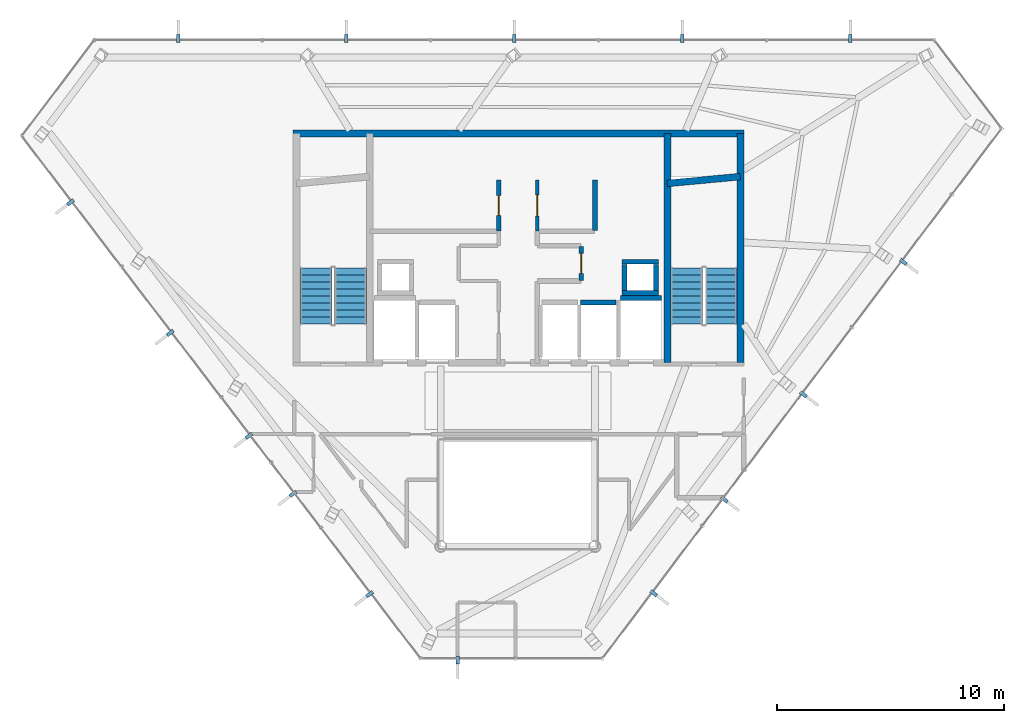
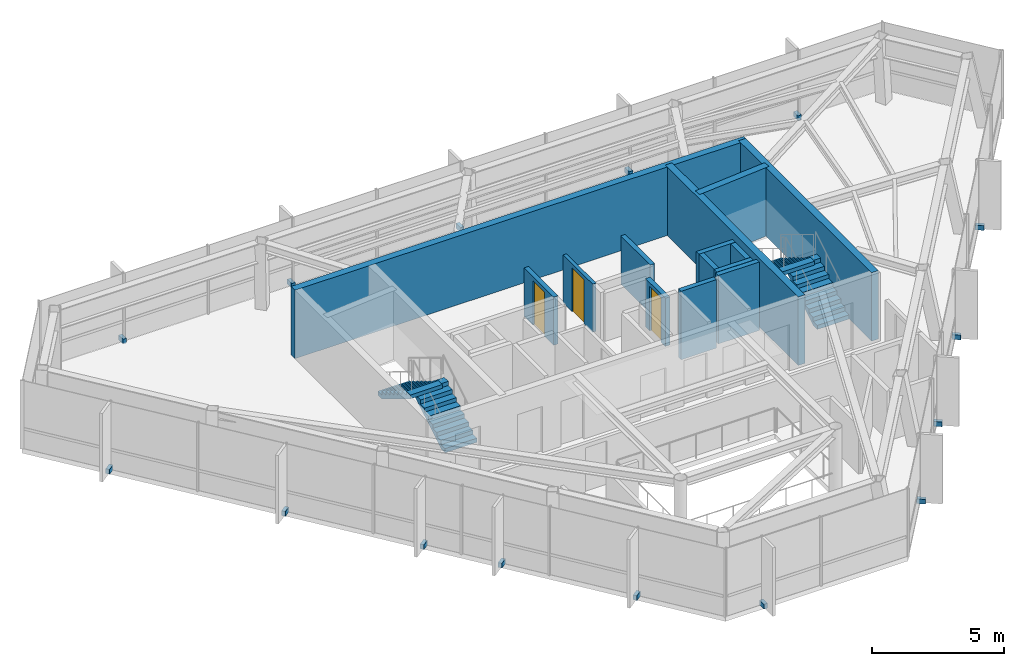
# One storey, part 21 of 22: 15 discrete accessories, 14 walls, 4 stair flights, 3 doors, 3 openings, 2 elements without a shape of their own.
"""IFC4 building model written with IfcOpenShell, lengths in metres."""

from ifc_helpers import new_model, si_unit, direction, frame, frame_2d, origin, origin_2d, place, context, subcontext, project, spatial, polyline, rectangle, outline, extrude, material, layer, layer_set, type_object, element, fill, aggregate, save


model = new_model("IFC4")

# Units and contexts
model_context = context("Model", 3, precision=1e-05, world=origin(), true_north=direction((0.0, 1.0)))
body_context = subcontext(model_context, "Body", "Model", "MODEL_VIEW")
ifc_project = project(units=[si_unit("LENGTHUNIT", "METRE"), si_unit("AREAUNIT", "SQUARE_METRE"), si_unit("VOLUMEUNIT", "CUBIC_METRE"), si_unit("PLANEANGLEUNIT", "RADIAN"), si_unit("MASSUNIT", "GRAM", prefix="KILO")], contexts=[model_context])

# Site, building, storey
site_placement = place(None, origin())
site = spatial("IfcSite", under=ifc_project, at=site_placement, CompositionType="ELEMENT")
building_placement = place(site_placement, origin())
building = spatial("IfcBuilding", under=site, at=building_placement, Name="Zarrinselat Tower", CompositionType="ELEMENT")
storey_placement = place(building_placement, frame((0.0, 0.0, 295.800048828125)))
storey = spatial("IfcBuildingStorey", under=building, at=storey_placement, Name="L76", CompositionType="ELEMENT", Elevation=295.800048828125)

# Wall, opening, door
ifc_material_1 = material(Name="Fire-Rated Gypsum Board Partition", Category="gypsum")
ifc_layer_1 = layer(ifc_material_1, 0.14990234375)
ifc_layer_set_1 = layer_set([ifc_layer_1], Name="Fire-Rated Gypsum Board Partition")
wall_type_1 = type_object("IfcWallType", Name="WAL-PART-EI60", PredefinedType="PARTITIONING", material=ifc_layer_set_1)
wall_1_placement = place(storey_placement, frame((39.25, 39.10498046875, 0.0), z_axis=(0.0, 0.0, 1.0), x_axis=(0.0, 1.0, 0.0)))
wall_1 = element("IfcWall", 1, at=wall_1_placement, inside=storey, type_object=wall_type_1, Name="L76 Partition Wall 12", PredefinedType="PARTITIONING", context=body_context, shape_type="SweptSolid", body=[
    extrude(rectangle(XDim=2.2451171875, YDim=0.14990234375, at=frame_2d((1.12255859375, 0.0))), origin(), (0.0, 0.0, 1.0), 2.23486328125),
])
opening_1_placement = place(wall_1_placement, frame((0.652587890625, 0.0, 0.0)))
opening_1 = element("IfcOpeningElement", 2, at=opening_1_placement, cuts=wall_1, Name="Opening ID-04", PredefinedType="OPENING", context=body_context, shape_type="SweptSolid", body=[
    extrude(rectangle(XDim=0.93994140625, YDim=2.050048828125, at=frame_2d((0.469970703125, 1.02490234375))), frame((0.0, 0.0849609375, 0.0), z_axis=(0.0, -1.0, 0.0), x_axis=(1.0, 0.0, 0.0)), (0.0, 0.0, 1.0), 0.169921875),
])
ifc_material_2 = material(Name="Fire-Rated Gypsum Board Partition")
door_type_1 = type_object("IfcDoorType", Name="DR-INT-FD30-ENT", OperationType="NOTDEFINED", PredefinedType="DOOR", material=ifc_material_2)
door_1_placement = place(opening_1_placement, origin())
door_1 = element("IfcDoor", 3, at=door_1_placement, inside=storey, type_object=door_type_1, Name="L76 Interior Door P12", OperationType="SINGLE_SWING_LEFT", OverallHeight=2.050048828125, OverallWidth=0.93994140625, PredefinedType="DOOR", context=body_context, shape_type="SweptSolid", body=[
    extrude(rectangle(XDim=0.93994140625, YDim=2.050048828125, at=frame_2d((0.469970703125, 1.02490234375))), frame((0.0, 0.02490234375, 0.0), z_axis=(0.0, -1.0, 0.0), x_axis=(1.0, 0.0, 0.0)), (0.0, 0.0, 1.0), 0.050048828125),
])
fill(opening_1, door_1)

ifc_material_3 = material(Name="Concrete C40/50", Category="concrete")
ifc_layer_2 = layer(ifc_material_3, 0.199951171875)
ifc_layer_set_2 = layer_set([ifc_layer_2], Name="Concrete C40/50")
wall_type_2 = type_object("IfcWallType", Name="WAL-PART-PLANT", PredefinedType="PARTITIONING", material=ifc_layer_set_2)
wall_2_placement = place(storey_placement, frame((37.550048828125, 39.10498046875, 0.0), z_axis=(0.0, 0.0, 1.0), x_axis=(0.0, 1.0, 0.0)))
wall_2 = element("IfcWall", 4, at=wall_2_placement, inside=storey, type_object=wall_type_2, Name="L76 Partition Wall 6", PredefinedType="PARTITIONING", context=body_context, shape_type="SweptSolid", body=[
    extrude(rectangle(XDim=2.2451171875, YDim=0.199951171875, at=frame_2d((1.12255859375, 0.0))), origin(), (0.0, 0.0, 1.0), 2.23486328125),
])
opening_2_placement = place(wall_2_placement, frame((0.6826171875, 0.0, 0.0)))
opening_2 = element("IfcOpeningElement", 5, at=opening_2_placement, cuts=wall_2, Name="Opening ID-03", PredefinedType="OPENING", context=body_context, shape_type="SweptSolid", body=[
    extrude(rectangle(XDim=0.8798828125, YDim=2.050048828125, at=frame_2d((0.43994140625, 1.02490234375))), frame((0.0, 0.10986328125, 0.0), z_axis=(0.0, -1.0, 0.0), x_axis=(1.0, 0.0, 0.0)), (0.0, 0.0, 1.0), 0.219970703125),
])
ifc_material_4 = material(Name="Steel S355J2", Category="steel")
door_type_2 = type_object("IfcDoorType", Name="DR-INT-FD60-S", OperationType="NOTDEFINED", PredefinedType="DOOR", material=ifc_material_4)
door_2_placement = place(opening_2_placement, origin())
door_2 = element("IfcDoor", 6, at=door_2_placement, inside=storey, type_object=door_type_2, Name="L76 Interior Door P6", OperationType="SINGLE_SWING_LEFT", OverallHeight=2.050048828125, OverallWidth=0.8798828125, PredefinedType="DOOR", context=body_context, shape_type="SweptSolid", body=[
    extrude(rectangle(XDim=0.8798828125, YDim=2.050048828125, at=frame_2d((0.43994140625, 1.02490234375))), frame((0.0, 0.02490234375, 0.0), z_axis=(0.0, -1.0, 0.0), x_axis=(1.0, 0.0, 0.0)), (0.0, 0.0, 1.0), 0.050048828125),
])
fill(opening_2, door_2)

wall_3_placement = place(storey_placement, frame((41.199951171875, 36.919921875, 0.0), z_axis=(0.0, 0.0, 1.0), x_axis=(0.0, 1.0, 0.0)))
wall_3 = element("IfcWall", 7, at=wall_3_placement, inside=storey, type_object=wall_type_2, Name="L76 Partition Wall 9", PredefinedType="PARTITIONING", context=body_context, shape_type="SweptSolid", body=[
    extrude(rectangle(XDim=1.510009765625, YDim=0.199951171875, at=frame_2d((0.7548828125, 0.0))), origin(), (0.0, 0.0, 1.0), 2.23486328125),
])
opening_3_placement = place(wall_3_placement, frame((0.31494140625, 0.0, 0.0)))
opening_3 = element("IfcOpeningElement", 8, at=opening_3_placement, cuts=wall_3, Name="Opening ID-03", PredefinedType="OPENING", context=body_context, shape_type="SweptSolid", body=[
    extrude(rectangle(XDim=0.8798828125, YDim=2.050048828125, at=frame_2d((0.43994140625, 1.02490234375))), frame((0.0, 0.10986328125, 0.0), z_axis=(0.0, -1.0, 0.0), x_axis=(1.0, 0.0, 0.0)), (0.0, 0.0, 1.0), 0.219970703125),
])
door_3_placement = place(opening_3_placement, origin())
door_3 = element("IfcDoor", 9, at=door_3_placement, inside=storey, type_object=door_type_2, Name="L76 Interior Door P9", OperationType="SINGLE_SWING_RIGHT", OverallHeight=2.050048828125, OverallWidth=0.8798828125, PredefinedType="DOOR", context=body_context, shape_type="SweptSolid", body=[
    extrude(rectangle(XDim=0.8798828125, YDim=2.050048828125, at=frame_2d((0.43994140625, 1.02490234375))), frame((0.0, 0.02490234375, 0.0), z_axis=(0.0, -1.0, 0.0), x_axis=(1.0, 0.0, 0.0)), (0.0, 0.0, 1.0), 0.050048828125),
])
fill(opening_3, door_3)

# Walls
wall_4_placement = place(storey_placement, frame((41.800048828125, 39.1201171875, 0.0), z_axis=(0.0, 0.0, 1.0), x_axis=(0.0, 1.0, 0.0)))
element("IfcWall", 10, at=wall_4_placement, inside=storey, type_object=wall_type_2, Name="L76 Partition Wall 15", PredefinedType="PARTITIONING", context=body_context, shape_type="SweptSolid", body=[
    extrude(rectangle(XDim=2.22998046875, YDim=0.199951171875, at=frame_2d((1.114990234375, 0.0))), origin(), (0.0, 0.0, 1.0), 2.23486328125),
])
ifc_material_5 = material(Name="Concrete C40/50", Category="concrete")
ifc_layer_3 = layer(ifc_material_5, 0.2099609375)
ifc_layer_set_3 = layer_set([ifc_layer_3], Name="Concrete C40/50")
wall_type_3 = type_object("IfcWallType", Name="WAL-SHAFT-210", PredefinedType="SOLIDWALL", material=ifc_layer_set_3)
wall_5_placement = place(storey_placement, frame((42.919921875, 36.155029296875, 0.0), z_axis=(0.0, 0.0, 1.0), x_axis=(1.0, 0.0, 0.0)))
element("IfcWall", 11, at=wall_5_placement, inside=storey, type_object=wall_type_3, Name="L76 Lift FFL2 North Shaft Wall", PredefinedType="SOLIDWALL", context=body_context, shape_type="SweptSolid", body=[
    extrude(rectangle(XDim=1.800048828125, YDim=0.2099609375, at=frame_2d((0.89990234375, 0.0))), origin(), (0.0, 0.0, 1.0), 3.179931640625),
])
wall_6_placement = place(storey_placement, frame((41.169921875, 35.955078125, 0.0), z_axis=(0.0, 0.0, 1.0), x_axis=(1.0, 0.0, 0.0)))
element("IfcWall", 12, at=wall_6_placement, inside=storey, type_object=wall_type_3, Name="L76 Lift PL9 North Shaft Wall", PredefinedType="SOLIDWALL", context=body_context, shape_type="SweptSolid", body=[
    extrude(rectangle(XDim=1.56005859375, YDim=0.2099609375, at=frame_2d((0.780029296875, 0.0))), origin(), (0.0, 0.0, 1.0), 3.179931640625),
])
for number, where, z_axis, x_axis, name in (
    (13, (42.989990234375, 36.375, 0.0), (0.0, 0.0, 1.0), (1.0, 0.0, 0.0), "L76 Core Riser RSR-E S Shaft Wall"),
    (14, (42.989990234375, 37.7451171875, 0.0), (0.0, 0.0, 1.0), (1.0, 0.0, 0.0), "L76 Core Riser RSR-E N Shaft Wall"),
):
    element("IfcWall", number, at=place(storey_placement, frame(where, z_axis=z_axis, x_axis=x_axis)), inside=storey, type_object=wall_type_3, Name=name, PredefinedType="SOLIDWALL", context=body_context, shape_type="SweptSolid", body=[
        extrude(rectangle(XDim=1.60009765625, YDim=0.2099609375, at=frame_2d((0.800048828125, 0.0))), origin(), (0.0, 0.0, 1.0), 3.179931640625),
    ])
for number, where, z_axis, x_axis, name in (
    (15, (43.094970703125, 36.485107421875, 0.0), (0.0, 0.0, 1.0), (0.0, 1.0, 0.0), "L76 Core Riser RSR-E W Shaft Wall"),
    (16, (44.485107421875, 36.485107421875, 0.0), (0.0, 0.0, 1.0), (0.0, 1.0, 0.0), "L76 Core Riser RSR-E E Shaft Wall"),
):
    element("IfcWall", number, at=place(storey_placement, frame(where, z_axis=z_axis, x_axis=x_axis)), inside=storey, type_object=wall_type_3, Name=name, PredefinedType="SOLIDWALL", context=body_context, shape_type="SweptSolid", body=[
        extrude(rectangle(XDim=1.14990234375, YDim=0.2099609375, at=frame_2d((0.574951171875, 0.0))), origin(), (0.0, 0.0, 1.0), 3.179931640625),
    ])
ifc_material_6 = material(Name="Concrete C40/50", Category="concrete")
ifc_layer_4 = layer(ifc_material_6, 0.300048828125)
ifc_layer_set_4 = layer_set([ifc_layer_4], Name="Concrete C40/50")
wall_type_4 = type_object("IfcWallType", Name="WAL-SHEAR-300", PredefinedType="SHEAR", material=ifc_layer_set_4)
wall_7_placement = place(storey_placement, frame((28.5, 43.39990234375, 0.0), z_axis=(0.0, 0.0, 1.0), x_axis=(1.0, 0.0, 0.0)))
element("IfcWall", 17, at=wall_7_placement, inside=storey, type_object=wall_type_4, Name="L76 North Core Shear Wall", PredefinedType="SHEAR", context=body_context, shape_type="SweptSolid", body=[
    extrude(rectangle(XDim=19.860107421875, YDim=0.300048828125, at=frame_2d((9.93017578125, 0.0))), origin(), (0.0, 0.0, 1.0), 3.179931640625),
])
for number, where, z_axis, x_axis, name in (
    (18, (44.989990234375, 33.300048828125, 0.0), (0.0, 0.0, 1.0), (0.0, 1.0, 0.0), "L76 Core Shear Wall ST2W"),
    (19, (48.2099609375, 33.300048828125, 0.0), (0.0, 0.0, 1.0), (0.0, 1.0, 0.0), "L76 Core Shear Wall E"),
):
    element("IfcWall", number, at=place(storey_placement, frame(where, z_axis=z_axis, x_axis=x_axis)), inside=storey, type_object=wall_type_4, Name=name, PredefinedType="SHEAR", context=body_context, shape_type="SweptSolid", body=[
        extrude(rectangle(XDim=10.099853515625, YDim=0.300048828125, at=frame_2d((5.0498046875, 0.0))), origin(), (0.0, 0.0, 1.0), 3.179931640625),
    ])
wall_8_placement = place(storey_placement, frame((44.97998046875, 41.199951171875, 0.0), z_axis=(0.0, 0.0, 1.0), x_axis=(0.995686468965, 0.09278176286, 0.0)))
element("IfcWall", 20, at=wall_8_placement, inside=storey, type_object=wall_type_4, Name="L76 Stair 2 North Shaft Wall", PredefinedType="SHEAR", context=body_context, shape_type="SweptSolid", body=[
    extrude(rectangle(XDim=3.23388671875, YDim=0.300048828125, at=frame_2d((1.616943359375, 0.0))), origin(), (0.0, 0.0, 1.0), 3.179931640625),
])

# Stair, stair flights
ifc_material_7 = material(Name="Concrete C40/50", Category="concrete")
stair_type = type_object("IfcStairType", Name="STR-CORE-155", PredefinedType="HALF_TURN_STAIR", material=ifc_material_7)
stair_1_placement = place(storey_placement, origin())
stair_1 = element("IfcStair", 21, at=stair_1_placement, inside=storey, type_object=stair_type, Name="L76 Core Exit Stair 1", PredefinedType="HALF_TURN_STAIR")
ifc_material_8 = material(Name="Concrete C40/50", Category="concrete")
stair_flight_type = type_object("IfcStairFlightType", Name="STR-FLT-155", PredefinedType="STRAIGHT", material=ifc_material_8)
stair_flight_1_placement = place(storey_placement, frame((31.02001953125, 35.0, 0.0), z_axis=(0.0, 0.0, 1.0), x_axis=(0.0, 1.0, 0.0)))
stair_flight_1 = element("IfcStairFlight", 22, at=stair_flight_1_placement, type_object=stair_flight_type, Name="ST-1 flight 1", NumberOfRisers=9, NumberOfTreads=8, PredefinedType="STRAIGHT", RiserHeight=0.188888889, TreadLength=0.31, context=body_context, shape_type="SweptSolid", body=[
    extrude(outline(polyline([(0.0, 0.0), (0.0, 0.18896484375), (0.31005859375, 0.18896484375), (0.31005859375, 0.377685546875), (0.6201171875, 0.377685546875), (0.6201171875, 0.566650390625), (0.929931640625, 0.566650390625), (0.929931640625, 0.755615234375), (1.239990234375, 0.755615234375), (1.239990234375, 0.9443359375), (1.550048828125, 0.9443359375), (1.550048828125, 1.13330078125), (1.860107421875, 1.13330078125), (1.860107421875, 1.322265625), (2.169921875, 1.322265625), (2.169921875, 1.51123046875), (2.47998046875, 1.51123046875), (2.47998046875, 1.699951171875), (2.47998046875, 1.335693359375), (0.2880859375, 0.0), (0.0, 0.0)])), frame((0.0, 0.699951171875, 0.0), z_axis=(0.0, -1.0, 0.0), x_axis=(1.0, 0.0, 0.0)), (0.0, 0.0, 1.0), 1.39990234375),
])
stair_flight_2_placement = place(storey_placement, frame((29.5, 37.47998046875, 1.699951171875), z_axis=(0.0, 0.0, 1.0), x_axis=(0.0, -1.0, 0.0)))
stair_flight_2 = element("IfcStairFlight", 23, at=stair_flight_2_placement, type_object=stair_flight_type, Name="ST-1 flight 2", NumberOfRisers=9, NumberOfTreads=8, PredefinedType="STRAIGHT", RiserHeight=0.188888889, TreadLength=0.31, context=body_context, shape_type="SweptSolid", body=[
    extrude(outline(polyline([(0.0, 0.0), (0.0, 0.18896484375), (0.31005859375, 0.18896484375), (0.31005859375, 0.377685546875), (0.6201171875, 0.377685546875), (0.6201171875, 0.566650390625), (0.929931640625, 0.566650390625), (0.929931640625, 0.755615234375), (1.239990234375, 0.755615234375), (1.239990234375, 0.9443359375), (1.550048828125, 0.9443359375), (1.550048828125, 1.13330078125), (1.860107421875, 1.13330078125), (1.860107421875, 1.322265625), (2.169921875, 1.322265625), (2.169921875, 1.51123046875), (2.47998046875, 1.51123046875), (2.47998046875, 1.699951171875), (2.47998046875, 1.335693359375), (0.2880859375, 0.0), (0.0, 0.0)])), frame((0.0, 0.699951171875, 0.0), z_axis=(0.0, -1.0, 0.0), x_axis=(1.0, 0.0, 0.0)), (0.0, 0.0, 1.0), 1.39990234375),
])
aggregate(stair_1, [stair_flight_1, stair_flight_2])

stair_2_placement = place(storey_placement, origin())
stair_2 = element("IfcStair", 24, at=stair_2_placement, inside=storey, type_object=stair_type, Name="L76 Core Exit Stair 2", PredefinedType="HALF_TURN_STAIR")
stair_flight_3_placement = place(storey_placement, frame((47.360107421875, 35.0, 0.0), z_axis=(0.0, 0.0, 1.0), x_axis=(0.0, 1.0, 0.0)))
stair_flight_3 = element("IfcStairFlight", 25, at=stair_flight_3_placement, type_object=stair_flight_type, Name="ST-2 flight 1", NumberOfRisers=9, NumberOfTreads=8, PredefinedType="STRAIGHT", RiserHeight=0.188888889, TreadLength=0.31, context=body_context, shape_type="SweptSolid", body=[
    extrude(outline(polyline([(0.0, 0.0), (0.0, 0.18896484375), (0.31005859375, 0.18896484375), (0.31005859375, 0.377685546875), (0.6201171875, 0.377685546875), (0.6201171875, 0.566650390625), (0.929931640625, 0.566650390625), (0.929931640625, 0.755615234375), (1.239990234375, 0.755615234375), (1.239990234375, 0.9443359375), (1.550048828125, 0.9443359375), (1.550048828125, 1.13330078125), (1.860107421875, 1.13330078125), (1.860107421875, 1.322265625), (2.169921875, 1.322265625), (2.169921875, 1.51123046875), (2.47998046875, 1.51123046875), (2.47998046875, 1.699951171875), (2.47998046875, 1.335693359375), (0.2880859375, 0.0), (0.0, 0.0)])), frame((0.0, 0.699951171875, 0.0), z_axis=(0.0, -1.0, 0.0), x_axis=(1.0, 0.0, 0.0)), (0.0, 0.0, 1.0), 1.39990234375),
])
stair_flight_4_placement = place(storey_placement, frame((45.840087890625, 37.47998046875, 1.699951171875), z_axis=(0.0, 0.0, 1.0), x_axis=(0.0, -1.0, 0.0)))
stair_flight_4 = element("IfcStairFlight", 26, at=stair_flight_4_placement, type_object=stair_flight_type, Name="ST-2 flight 2", NumberOfRisers=9, NumberOfTreads=8, PredefinedType="STRAIGHT", RiserHeight=0.188888889, TreadLength=0.31, context=body_context, shape_type="SweptSolid", body=[
    extrude(outline(polyline([(0.0, 0.0), (0.0, 0.18896484375), (0.31005859375, 0.18896484375), (0.31005859375, 0.377685546875), (0.6201171875, 0.377685546875), (0.6201171875, 0.566650390625), (0.929931640625, 0.566650390625), (0.929931640625, 0.755615234375), (1.239990234375, 0.755615234375), (1.239990234375, 0.9443359375), (1.550048828125, 0.9443359375), (1.550048828125, 1.13330078125), (1.860107421875, 1.13330078125), (1.860107421875, 1.322265625), (2.169921875, 1.322265625), (2.169921875, 1.51123046875), (2.47998046875, 1.51123046875), (2.47998046875, 1.699951171875), (2.47998046875, 1.335693359375), (0.2880859375, 0.0), (0.0, 0.0)])), frame((0.0, 0.699951171875, 0.0), z_axis=(0.0, -1.0, 0.0), x_axis=(1.0, 0.0, 0.0)), (0.0, 0.0, 1.0), 1.39990234375),
])
aggregate(stair_2, [stair_flight_3, stair_flight_4])

# Discrete accessories
ifc_material_9 = material(Name="Steel S355J2", Category="steel")
discrete_accessory_type = type_object("IfcDiscreteAccessoryType", Name="ACC-FIN-BRACKET", PredefinedType="BRACKET", material=ifc_material_9)
for number, where, z_axis, x_axis, name in (
    (27, (53.054443359375, 47.586669921875, -0.0498046875), (0.0, 0.0, 1.0), (0.0, 1.0, 0.0), "L76 Fin Fixing Bracket CW-L76-E01-01"),
    (28, (45.6494140625, 47.586669921875, -0.0498046875), (0.0, 0.0, 1.0), (0.0, 1.0, 0.0), "L76 Fin Fixing Bracket CW-L76-E01-03"),
    (29, (38.244140625, 47.586669921875, -0.0498046875), (0.0, 0.0, 1.0), (0.0, 1.0, 0.0), "L76 Fin Fixing Bracket CW-L76-E01-05"),
    (30, (30.8388671875, 47.586669921875, -0.0498046875), (0.0, 0.0, 1.0), (0.0, 1.0, 0.0), "L76 Fin Fixing Bracket CW-L76-E01-07"),
    (31, (23.43359375, 47.586669921875, -0.0498046875), (0.0, 0.0, 1.0), (0.0, 1.0, 0.0), "L76 Fin Fixing Bracket CW-L76-E01-09"),
    (32, (18.686767578125, 40.3671875, -0.0498046875), (0.0, 0.0, 1.0), (-0.794853219631, -0.606801746242, 0.0), "L76 Fin Fixing Bracket CW-L76-E03-01"),
    (33, (23.080810546875, 34.611328125, -0.0498046875), (0.0, 0.0, 1.0), (-0.794853219631, -0.606801746242, 0.0), "L76 Fin Fixing Bracket CW-L76-E03-03"),
    (34, (26.546875, 30.071044921875, -0.0498046875), (0.0, 0.0, 1.0), (-0.794853219631, -0.606801746242, 0.0), "L76 Fin Fixing Bracket CW-L76-E03-05"),
    (35, (28.493408203125, 27.52099609375, -0.0498046875), (0.0, 0.0, 1.0), (-0.794853219631, -0.606801746242, 0.0), "L76 Fin Fixing Bracket CW-L76-E03-07"),
    (36, (31.868896484375, 23.099609375, -0.0498046875), (0.0, 0.0, 1.0), (-0.794853219631, -0.606801746242, 0.0), "L76 Fin Fixing Bracket CW-L76-E03-09"),
    (37, (35.74609375, 20.194091796875, -0.0498046875), (0.0, 0.0, 1.0), (0.0, -1.0, 0.0), "L76 Fin Fixing Bracket CW-L76-E04-01"),
    (38, (44.385498046875, 23.142333984375, -0.0498046875), (0.0, 0.0, 1.0), (0.798742776655, -0.601672649155, 0.0), "L76 Fin Fixing Bracket CW-L76-E05-01"),
    (39, (47.49609375, 27.271728515625, -0.0498046875), (0.0, 0.0, 1.0), (0.798742776655, -0.601672649155, 0.0), "L76 Fin Fixing Bracket CW-L76-E05-03"),
    (40, (50.984619140625, 31.90283203125, -0.0498046875), (0.0, 0.0, 1.0), (0.798742776655, -0.601672649155, 0.0), "L76 Fin Fixing Bracket CW-L76-E05-05"),
    (41, (55.384033203125, 37.743408203125, -0.0498046875), (0.0, 0.0, 1.0), (0.798742776655, -0.601672649155, 0.0), "L76 Fin Fixing Bracket CW-L76-E05-07"),
):
    element("IfcDiscreteAccessory", number, at=place(storey_placement, frame(where, z_axis=z_axis, x_axis=x_axis)), inside=storey, type_object=discrete_accessory_type, Name=name, PredefinedType="BRACKET", context=body_context, shape_type="SweptSolid", body=[
        extrude(rectangle(XDim=0.340087890625, YDim=0.159912109375, at=origin_2d()), origin(), (0.0, 0.0, 1.0), 0.219970703125),
    ])

save(model, "model.ifc")
